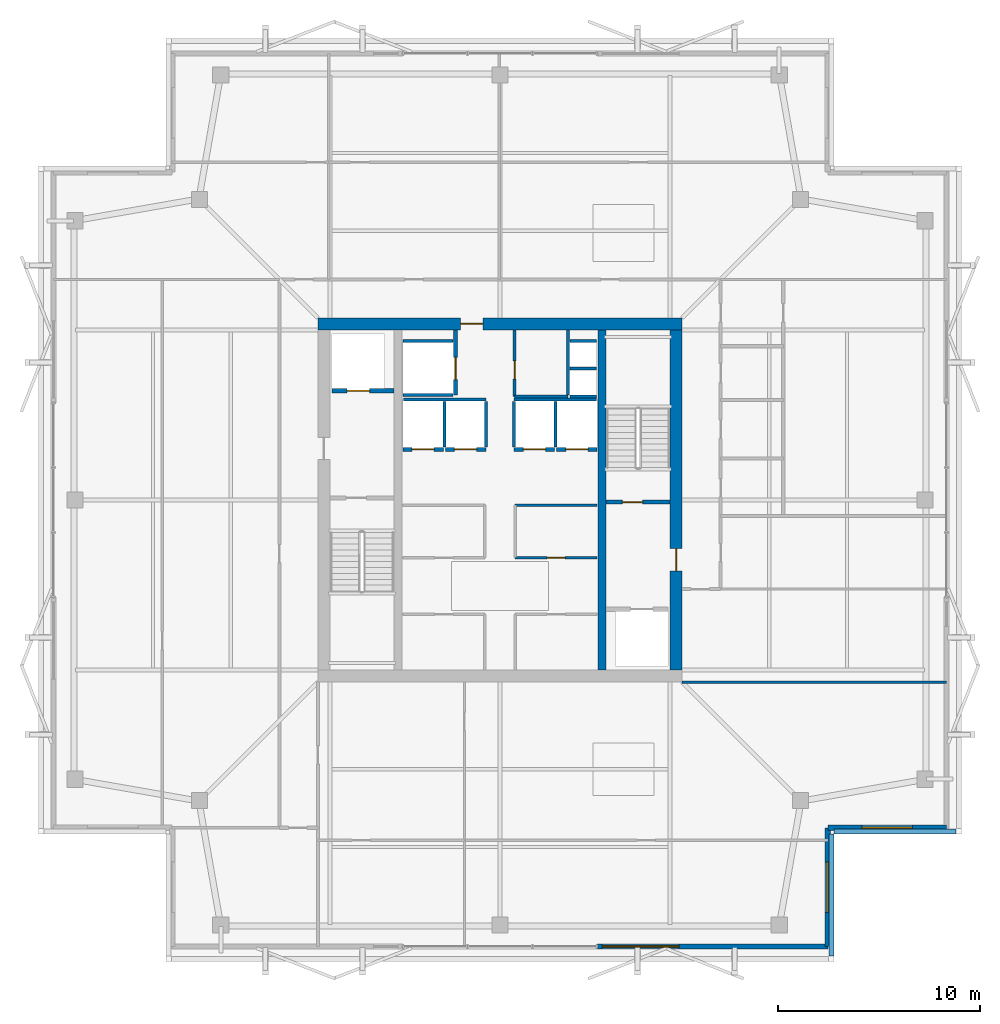
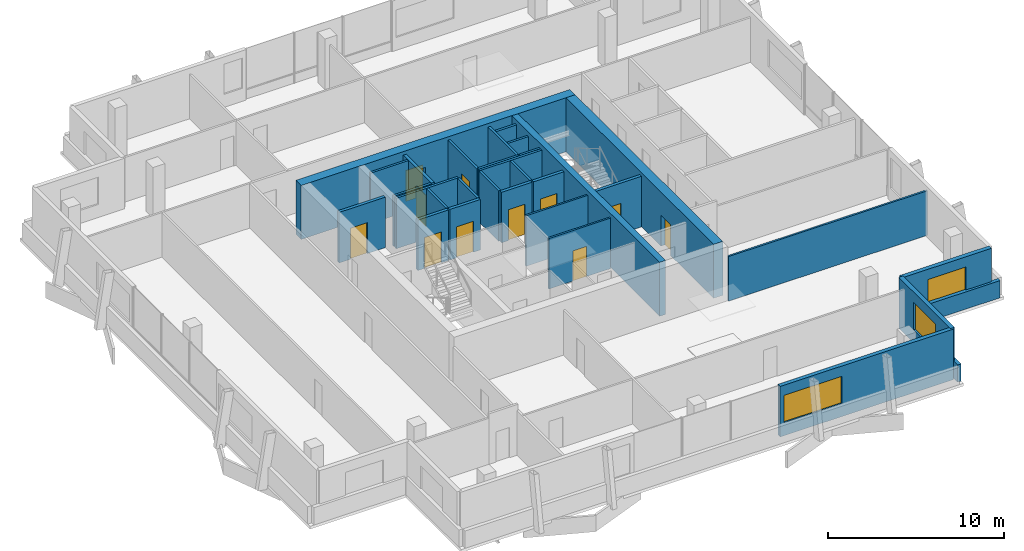
# One storey, part 14 of 17: 32 walls, 11 doors, 3 windows, 14 openings.
"""IFC4 building model written with IfcOpenShell, lengths in metres."""

from ifc_helpers import new_model, si_unit, direction, frame, frame_2d, origin, place, context, subcontext, project, spatial, rectangle, extrude, material, layer, layer_set, type_object, element, fill, save


model = new_model("IFC4")

# Units and contexts
model_context = context("Model", 3, precision=1e-05, world=origin(), true_north=direction((0.0, 1.0)))
body_context = subcontext(model_context, "Body", "Model", "MODEL_VIEW")
ifc_project = project(units=[si_unit("LENGTHUNIT", "METRE"), si_unit("AREAUNIT", "SQUARE_METRE"), si_unit("VOLUMEUNIT", "CUBIC_METRE"), si_unit("PLANEANGLEUNIT", "RADIAN"), si_unit("MASSUNIT", "GRAM", prefix="KILO")], contexts=[model_context])

# Site, building, storey
site_placement = place(None, origin())
site = spatial("IfcSite", under=ifc_project, at=site_placement, CompositionType="ELEMENT")
building_placement = place(site_placement, origin())
building = spatial("IfcBuilding", under=site, at=building_placement, Name="Belovzor Exchange Tower", CompositionType="ELEMENT")
storey_placement = place(building_placement, frame((0.0, 0.0, 333.0)))
storey = spatial("IfcBuildingStorey", under=building, at=storey_placement, Name="L83", CompositionType="ELEMENT", Elevation=333.0)

# Wall
ifc_material_1 = material(Name="Acoustic Plasterboard on Galvanised Studs", Category="gypsum")
ifc_layer_1 = layer(ifc_material_1, 0.1201171875)
ifc_layer_set_1 = layer_set([ifc_layer_1], Name="Acoustic Plasterboard on Galvanised Studs")
wall_type_1 = type_object("IfcWallType", Name="Acoustic Double-Stud Partition Wall 120", PredefinedType="PARTITIONING", material=ifc_layer_set_1)
wall_1_placement = place(storey_placement, frame((37.800048828125, 19.800048828125, 0.0), z_axis=(0.0, 0.0, 1.0), x_axis=(1.0, 0.0, 0.0)))
element("IfcWall", 1, at=wall_1_placement, inside=storey, type_object=wall_type_1, Name="W-P120 Partition Wall W-L83-ESS", PredefinedType="PARTITIONING", context=body_context, shape_type="SweptSolid", body=[
    extrude(rectangle(XDim=13.070068359375, YDim=0.1201171875, at=frame_2d((6.53515625, 0.0))), origin(), (0.0, 0.0, 1.0), 3.094970703125),
])

# Wall, opening, door
ifc_material_2 = material(Name="Fire-Rated Plasterboard on Galvanised Studs", Category="gypsum")
ifc_layer_2 = layer(ifc_material_2, 0.1201171875)
ifc_layer_set_2 = layer_set([ifc_layer_2], Name="Fire-Rated Plasterboard on Galvanised Studs")
wall_type_2 = type_object("IfcWallType", Name="Fire-Rated Double-Stud Partition Wall 120", PredefinedType="PARTITIONING", material=ifc_layer_set_2)
wall_2_placement = place(storey_placement, frame((29.550048828125, 25.949951171875, 0.0), z_axis=(0.0, 0.0, 1.0), x_axis=(1.0, 0.0, 0.0)))
wall_2 = element("IfcWall", 2, at=wall_2_placement, inside=storey, type_object=wall_type_2, Name="W-P120F Partition Wall W-CRM-L83-ES", PredefinedType="PARTITIONING", context=body_context, shape_type="SweptSolid", body=[
    extrude(rectangle(XDim=4.050048828125, YDim=0.1201171875, at=frame_2d((2.02490234375, 0.0))), origin(), (0.0, 0.0, 1.0), 3.510009765625),
])
opening_1_placement = place(wall_2_placement, frame((1.574951171875, 0.0, 0.0)))
opening_1 = element("IfcOpeningElement", 3, at=opening_1_placement, cuts=wall_2, Name="Opening D-FD60-090", PredefinedType="OPENING", context=body_context, shape_type="SweptSolid", body=[
    extrude(rectangle(XDim=0.89990234375, YDim=2.10009765625, at=frame_2d((0.449951171875, 1.050048828125))), frame((0.0, 0.070068359375, 0.0), z_axis=(0.0, -1.0, 0.0), x_axis=(1.0, 0.0, 0.0)), (0.0, 0.0, 1.0), 0.14013671875),
])
ifc_material_3 = material(Name="Acoustic Timber Fire Leaf", Category="wood")
door_type_1 = type_object("IfcDoorType", Name="Core Service & Restroom Fire Door 900x2100", OperationType="NOTDEFINED", PredefinedType="DOOR", material=ifc_material_3)
door_1_placement = place(opening_1_placement, origin())
door_1 = element("IfcDoor", 4, at=door_1_placement, inside=storey, type_object=door_type_1, Name="D-FD60-090 Core Service & Restroom Fire Door 900x2100", OperationType="SINGLE_SWING_RIGHT", OverallHeight=2.10009765625, OverallWidth=0.89990234375, PredefinedType="DOOR", context=body_context, shape_type="SweptSolid", body=[
    extrude(rectangle(XDim=0.89990234375, YDim=2.10009765625, at=frame_2d((0.449951171875, 1.050048828125))), frame((0.0, 0.02490234375, 0.0), z_axis=(0.0, -1.0, 0.0), x_axis=(1.0, 0.0, 0.0)), (0.0, 0.0, 1.0), 0.050048828125),
])
fill(opening_1, door_1)

# Wall
wall_3_placement = place(storey_placement, frame((29.550048828125, 28.550048828125, 0.0), z_axis=(0.0, 0.0, 1.0), x_axis=(1.0, 0.0, 0.0)))
element("IfcWall", 5, at=wall_3_placement, inside=storey, type_object=wall_type_2, Name="W-P120F Partition Wall W-CRM-L83-EN", PredefinedType="PARTITIONING", context=body_context, shape_type="SweptSolid", body=[
    extrude(rectangle(XDim=4.050048828125, YDim=0.1201171875, at=frame_2d((2.02490234375, 0.0))), origin(), (0.0, 0.0, 1.0), 3.510009765625),
])

# Wall, opening, door
ifc_material_4 = material(Name="Fire-Rated Gypsum Block and Mineral Wool", Category="gypsum")
ifc_layer_3 = layer(ifc_material_4, 0.14990234375)
ifc_layer_set_3 = layer_set([ifc_layer_3], Name="Fire-Rated Gypsum Block and Mineral Wool")
wall_type_3 = type_object("IfcWallType", Name="Fire-Rated Gypsum Block Corridor Wall 150", PredefinedType="PARTITIONING", material=ifc_layer_set_3)
wall_4_placement = place(storey_placement, frame((29.52490234375, 33.925048828125, 0.0), z_axis=(0.0, 0.0, 1.0), x_axis=(0.0, 1.0, 0.0)))
wall_4 = element("IfcWall", 6, at=wall_4_placement, inside=storey, type_object=wall_type_3, Name="W-P150 Partition Wall W-CRV-L83-W", PredefinedType="PARTITIONING", context=body_context, shape_type="SweptSolid", body=[
    extrude(rectangle(XDim=3.27490234375, YDim=0.14990234375, at=frame_2d((1.637451171875, 0.0))), origin(), (0.0, 0.0, 1.0), 3.510009765625),
])
opening_2_placement = place(wall_4_placement, frame((0.85009765625, 0.0, 0.0)))
opening_2 = element("IfcOpeningElement", 7, at=opening_2_placement, cuts=wall_4, Name="Opening D-FD60-090", PredefinedType="OPENING", context=body_context, shape_type="SweptSolid", body=[
    extrude(rectangle(XDim=0.89990234375, YDim=2.10009765625, at=frame_2d((0.449951171875, 1.050048828125))), frame((0.0, 0.0849609375, 0.0), z_axis=(0.0, -1.0, 0.0), x_axis=(1.0, 0.0, 0.0)), (0.0, 0.0, 1.0), 0.169921875),
])
door_2_placement = place(opening_2_placement, origin())
door_2 = element("IfcDoor", 8, at=door_2_placement, inside=storey, type_object=door_type_1, Name="D-FD60-090 Core Service & Restroom Fire Door 900x2100", OperationType="SINGLE_SWING_LEFT", OverallHeight=2.10009765625, OverallWidth=0.89990234375, PredefinedType="DOOR", context=body_context, shape_type="SweptSolid", body=[
    extrude(rectangle(XDim=0.89990234375, YDim=2.10009765625, at=frame_2d((0.449951171875, 1.050048828125))), frame((0.0, 0.02490234375, 0.0), z_axis=(0.0, -1.0, 0.0), x_axis=(1.0, 0.0, 0.0)), (0.0, 0.0, 1.0), 0.050048828125),
])
fill(opening_2, door_2)

# Wall
wall_5_placement = place(storey_placement, frame((29.52490234375, 33.925048828125, 0.0), z_axis=(0.0, 0.0, 1.0), x_axis=(1.0, 0.0, 0.0)))
element("IfcWall", 9, at=wall_5_placement, inside=storey, type_object=wall_type_3, Name="W-P150 Partition Wall W-CRV-L83-S", PredefinedType="PARTITIONING", context=body_context, shape_type="SweptSolid", body=[
    extrude(rectangle(XDim=2.625, YDim=0.14990234375, at=frame_2d((1.3125, 0.0))), origin(), (0.0, 0.0, 1.0), 3.510009765625),
])

# Wall, opening, window
ifc_material_5 = material(Name="Precast concrete C40/50", Category="concrete")
ifc_layer_4 = layer(ifc_material_5, 0.280029296875)
ifc_layer_set_4 = layer_set([ifc_layer_4], Name="Precast concrete C40/50")
wall_type_4 = type_object("IfcWallType", Name="Precast Concrete Notched Corner Frame Wall 280", PredefinedType="SOLIDWALL", material=ifc_layer_set_4)
wall_6_placement = place(storey_placement, frame((50.8701171875, 12.60009765625, 0.0), z_axis=(0.0, 0.0, 1.0), x_axis=(-1.0, 0.0, 0.0)))
wall_6 = element("IfcWall", 10, at=wall_6_placement, inside=storey, type_object=wall_type_4, Name="W-CRN280 Precast Concrete Notched Corner Frame Wall 280 L83", PredefinedType="SOLIDWALL", context=body_context, shape_type="SweptSolid", body=[
    extrude(rectangle(XDim=5.8701171875, YDim=0.280029296875, at=frame_2d((2.93505859375, 0.0))), origin(), (0.0, 0.0, 1.0), 3.510009765625),
])
opening_3_placement = place(wall_6_placement, frame((1.68505859375, 0.0, 0.89990234375)))
opening_3 = element("IfcOpeningElement", 11, at=opening_3_placement, cuts=wall_6, Name="Opening WN-CRN250", PredefinedType="OPENING", context=body_context, shape_type="SweptSolid", body=[
    extrude(rectangle(XDim=2.5, YDim=1.89990234375, at=frame_2d((1.25, 0.949951171875))), frame((0.0, 0.14990234375, 0.0), z_axis=(0.0, -1.0, 0.0), x_axis=(1.0, 0.0, 0.0)), (0.0, 0.0, 1.0), 0.300048828125),
])
ifc_material_6 = material(Name="Thermally Broken Aluminium and Triple Glazing", Category="aluminium")
window_type_1 = type_object("IfcWindowType", Name="Streamline Moderne Corner Wrap Ribbon Window 2500x1900", PartitioningType="SINGLE_PANEL", PredefinedType="WINDOW", material=ifc_material_6)
window_1_placement = place(opening_3_placement, origin())
window_1 = element("IfcWindow", 12, at=window_1_placement, inside=storey, type_object=window_type_1, Name="WN-CRN250 Streamline Moderne Corner Wrap Ribbon Window 2500x1900", OverallHeight=1.89990234375, OverallWidth=2.5, PartitioningType="SINGLE_PANEL", PredefinedType="WINDOW", context=body_context, shape_type="SweptSolid", body=[
    extrude(rectangle(XDim=2.5, YDim=1.89990234375, at=frame_2d((1.25, 0.949951171875))), frame((0.0, 0.030029296875, 0.0), z_axis=(0.0, -1.0, 0.0), x_axis=(1.0, 0.0, 0.0)), (0.0, 0.0, 1.0), 0.06005859375),
])
fill(opening_3, window_1)

wall_7_placement = place(storey_placement, frame((45.0, 12.60009765625, 0.0), z_axis=(0.0, 0.0, 1.0), x_axis=(0.0, -1.0, 0.0)))
wall_7 = element("IfcWall", 13, at=wall_7_placement, inside=storey, type_object=wall_type_4, Name="W-CRN280 Precast Concrete Notched Corner Frame Wall 280 L83", PredefinedType="SOLIDWALL", context=body_context, shape_type="SweptSolid", body=[
    extrude(rectangle(XDim=5.8701171875, YDim=0.280029296875, at=frame_2d((2.93505859375, 0.0))), origin(), (0.0, 0.0, 1.0), 3.510009765625),
])
opening_4_placement = place(wall_7_placement, frame((1.68505859375, 0.0, 0.89990234375)))
opening_4 = element("IfcOpeningElement", 14, at=opening_4_placement, cuts=wall_7, Name="Opening WN-CRN250", PredefinedType="OPENING", context=body_context, shape_type="SweptSolid", body=[
    extrude(rectangle(XDim=2.5, YDim=1.89990234375, at=frame_2d((1.25, 0.949951171875))), frame((0.0, 0.14990234375, 0.0), z_axis=(0.0, -1.0, 0.0), x_axis=(1.0, 0.0, 0.0)), (0.0, 0.0, 1.0), 0.300048828125),
])
window_2_placement = place(opening_4_placement, origin())
window_2 = element("IfcWindow", 15, at=window_2_placement, inside=storey, type_object=window_type_1, Name="WN-CRN250 Streamline Moderne Corner Wrap Ribbon Window 2500x1900", OverallHeight=1.89990234375, OverallWidth=2.5, PartitioningType="SINGLE_PANEL", PredefinedType="WINDOW", context=body_context, shape_type="SweptSolid", body=[
    extrude(rectangle(XDim=2.5, YDim=1.89990234375, at=frame_2d((1.25, 0.949951171875))), frame((0.0, 0.030029296875, 0.0), z_axis=(0.0, -1.0, 0.0), x_axis=(1.0, 0.0, 0.0)), (0.0, 0.0, 1.0), 0.06005859375),
])
fill(opening_4, window_2)

ifc_material_7 = material(Name="Precast concrete C40/50", Category="concrete")
ifc_layer_5 = layer(ifc_material_7, 0.260009765625)
ifc_layer_set_5 = layer_set([ifc_layer_5], Name="Precast concrete C40/50")
wall_type_5 = type_object("IfcWallType", Name="Precast Concrete Perimeter Loggia Frame Wall 260", PredefinedType="SOLIDWALL", material=ifc_layer_set_5)
wall_8_placement = place(storey_placement, frame((45.0, 6.72998046875, 0.0), z_axis=(0.0, 0.0, 1.0), x_axis=(-1.0, 0.0, 0.0)))
wall_8 = element("IfcWall", 16, at=wall_8_placement, inside=storey, type_object=wall_type_5, Name="W-EXT260 Precast Concrete Perimeter Loggia Frame Wall 260 L83", PredefinedType="SOLIDWALL", context=body_context, shape_type="SweptSolid", body=[
    extrude(rectangle(XDim=11.39990234375, YDim=0.260009765625, at=frame_2d((5.699951171875, 0.0))), origin(), (0.0, 0.0, 1.0), 3.510009765625),
])
opening_5_placement = place(wall_8_placement, frame((7.35009765625, 0.0, 0.89990234375)))
opening_5 = element("IfcOpeningElement", 17, at=opening_5_placement, cuts=wall_8, Name="Opening WN-RIB380", PredefinedType="OPENING", context=body_context, shape_type="SweptSolid", body=[
    extrude(rectangle(XDim=3.800048828125, YDim=1.89990234375, at=frame_2d((1.89990234375, 0.949951171875))), frame((0.0, 0.139892578125, 0.0), z_axis=(0.0, -1.0, 0.0), x_axis=(1.0, 0.0, 0.0)), (0.0, 0.0, 1.0), 0.280029296875),
])
ifc_material_8 = material(Name="Thermally Broken Aluminium and Triple Glazing", Category="aluminium")
window_type_2 = type_object("IfcWindowType", Name="Streamline Moderne Horizontal Ribbon Window 3800x1900", PartitioningType="SINGLE_PANEL", PredefinedType="WINDOW", material=ifc_material_8)
window_3_placement = place(opening_5_placement, origin())
window_3 = element("IfcWindow", 18, at=window_3_placement, inside=storey, type_object=window_type_2, Name="WN-RIB380 Streamline Moderne Horizontal Ribbon Window 3800x1900", OverallHeight=1.89990234375, OverallWidth=3.800048828125, PartitioningType="SINGLE_PANEL", PredefinedType="WINDOW", context=body_context, shape_type="SweptSolid", body=[
    extrude(rectangle(XDim=3.800048828125, YDim=1.89990234375, at=frame_2d((1.89990234375, 0.949951171875))), frame((0.0, 0.030029296875, 0.0), z_axis=(0.0, -1.0, 0.0), x_axis=(1.0, 0.0, 0.0)), (0.0, 0.0, 1.0), 0.06005859375),
])
fill(opening_5, window_3)

# Walls
ifc_material_9 = material(Name="Precast concrete C40/50", Category="concrete")
ifc_layer_6 = layer(ifc_material_9, 0.239990234375)
ifc_layer_set_6 = layer_set([ifc_layer_6], Name="Precast concrete C40/50")
wall_type_6 = type_object("IfcWallType", Name="Precast Stone Setback Roof Parapet Wall 240", PredefinedType="PARAPET", material=ifc_layer_set_6)
for number, where, z_axis, x_axis, name in (
    (19, (45.179931640625, 6.2548828125, 0.0), (0.0, 0.0, 1.0), (0.0, 1.0, 0.0), "W-PAR240 Precast Stone Setback Roof Parapet Wall 240 L83"),
    (20, (45.31494140625, 12.419921875, 0.0), (0.0, 0.0, 1.0), (1.0, 0.0, 0.0), "W-PAR240 Precast Stone Setback Roof Parapet Wall 240 L83"),
):
    element("IfcWall", number, at=place(storey_placement, frame(where, z_axis=z_axis, x_axis=x_axis)), inside=storey, type_object=wall_type_6, Name=name, PredefinedType="PARAPET", context=body_context, shape_type="SweptSolid", body=[
        extrude(rectangle(XDim=6.030029296875, YDim=0.239990234375, at=frame_2d((3.01513671875, 0.0))), origin(), (0.0, 0.0, 1.0), 1.199951171875),
    ])
ifc_material_10 = material(Name="Concrete C50/60", Category="concrete")
ifc_layer_7 = layer(ifc_material_10, 0.39990234375)
ifc_layer_set_7 = layer_set([ifc_layer_7], Name="Concrete C50/60")
wall_type_7 = type_object("IfcWallType", Name="Reinforced Concrete Core Internal Web Wall 400", PredefinedType="SHEAR", material=ifc_layer_set_7)
wall_9_placement = place(storey_placement, frame((33.85009765625, 20.39990234375, 0.0), z_axis=(0.0, 0.0, 1.0), x_axis=(0.0, 1.0, 0.0)))
element("IfcWall", 21, at=wall_9_placement, inside=storey, type_object=wall_type_7, Name="CW-W040 Core Internal Web Wall L83 ER", PredefinedType="SHEAR", context=body_context, shape_type="SweptSolid", body=[
    extrude(rectangle(XDim=16.800048828125, YDim=0.39990234375, at=frame_2d((8.39990234375, 0.0))), origin(), (0.0, 0.0, 1.0), 3.75),
])
ifc_material_11 = material(Name="Concrete C50/60", Category="concrete")
ifc_layer_8 = layer(ifc_material_11, 0.14990234375)
ifc_layer_set_8 = layer_set([ifc_layer_8], Name="Concrete C50/60")
wall_type_8 = type_object("IfcWallType", Name="Reinforced Concrete Core Riser Shear Wall 150", PredefinedType="SHEAR", material=ifc_layer_set_8)
wall_10_placement = place(storey_placement, frame((32.14990234375, 34.0, 0.0), z_axis=(0.0, 0.0, 1.0), x_axis=(0.0, 1.0, 0.0)))
element("IfcWall", 22, at=wall_10_placement, inside=storey, type_object=wall_type_8, Name="W-C150S Core Shaft Wall W-RSR-L83-E", PredefinedType="SHEAR", context=body_context, shape_type="SweptSolid", body=[
    extrude(rectangle(XDim=3.199951171875, YDim=0.14990234375, at=frame_2d((1.60009765625, 0.0))), origin(), (0.0, 0.0, 1.0), 3.510009765625),
])
for number, where, z_axis, x_axis, name in (
    (23, (32.25, 33.925048828125, 0.0), (0.0, 0.0, 1.0), (1.0, 0.0, 0.0), "W-C150S Core Shaft Wall W-RSR-L83-S"),
    (24, (32.25, 35.300048828125, 0.0), (0.0, 0.0, 1.0), (1.0, 0.0, 0.0), "W-C150S Core Shaft Wall W-RSR-L83-M"),
):
    element("IfcWall", number, at=place(storey_placement, frame(where, z_axis=z_axis, x_axis=x_axis)), inside=storey, type_object=wall_type_8, Name=name, PredefinedType="SHEAR", context=body_context, shape_type="SweptSolid", body=[
        extrude(rectangle(XDim=1.330078125, YDim=0.14990234375, at=frame_2d((0.6650390625, 0.0))), origin(), (0.0, 0.0, 1.0), 3.510009765625),
    ])
for number, where, z_axis, x_axis, name in (
    (25, (24.0, 34.0, 0.0), (0.0, 0.0, 1.0), (1.0, 0.0, 0.0), "W-C150S Core Shaft Wall W-SH-L83-SL-01S"),
    (26, (24.0, 36.64990234375, 0.0), (0.0, 0.0, 1.0), (1.0, 0.0, 0.0), "W-C150S Core Shaft Wall W-SH-L83-SL-01N"),
):
    element("IfcWall", number, at=place(storey_placement, frame(where, z_axis=z_axis, x_axis=x_axis)), inside=storey, type_object=wall_type_8, Name=name, PredefinedType="SHEAR", context=body_context, shape_type="SweptSolid", body=[
        extrude(rectangle(XDim=2.47998046875, YDim=0.14990234375, at=frame_2d((1.239990234375, 0.0))), origin(), (0.0, 0.0, 1.0), 3.510009765625),
    ])
wall_11_placement = place(storey_placement, frame((32.25, 36.64990234375, 0.0), z_axis=(0.0, 0.0, 1.0), x_axis=(1.0, 0.0, 0.0)))
element("IfcWall", 27, at=wall_11_placement, inside=storey, type_object=wall_type_8, Name="W-C150S Core Shaft Wall W-RSR-L83-N", PredefinedType="SHEAR", context=body_context, shape_type="SweptSolid", body=[
    extrude(rectangle(XDim=1.330078125, YDim=0.14990234375, at=frame_2d((0.6650390625, 0.0))), origin(), (0.0, 0.0, 1.0), 3.510009765625),
])
for number, where, z_axis, x_axis, name in (
    (28, (24.02001953125, 33.760009765625, 0.0), (0.0, 0.0, 1.0), (1.0, 0.0, 0.0), "W-C150S Core Shaft Wall W-SHB-L83-PLH-NW"),
    (29, (29.5, 33.760009765625, 0.0), (0.0, 0.0, 1.0), (1.0, 0.0, 0.0), "W-C150S Core Shaft Wall W-SHB-L83-PLH-NE"),
):
    element("IfcWall", number, at=place(storey_placement, frame(where, z_axis=z_axis, x_axis=x_axis)), inside=storey, type_object=wall_type_8, Name=name, PredefinedType="SHEAR", context=body_context, shape_type="SweptSolid", body=[
        extrude(rectangle(XDim=4.080078125, YDim=0.14990234375, at=frame_2d((2.0400390625, 0.0))), origin(), (0.0, 0.0, 1.0), 3.510009765625),
    ])
for number, where, z_axis, x_axis, name in (
    (30, (26.050048828125, 31.419921875, 0.0), (0.0, 0.0, 1.0), (0.0, 1.0, 0.0), "W-C150S Core Shaft Wall W-SHD-L83-PLH-1"),
    (31, (28.10009765625, 31.419921875, 0.0), (0.0, 0.0, 1.0), (0.0, 1.0, 0.0), "W-C150S Core Shaft Wall W-SHD-L83-PLH-2"),
    (32, (29.5, 31.419921875, 0.0), (0.0, 0.0, 1.0), (0.0, 1.0, 0.0), "W-C150S Core Shaft Wall W-SHD-L83-PLH-3"),
    (33, (31.550048828125, 31.419921875, 0.0), (0.0, 0.0, 1.0), (0.0, 1.0, 0.0), "W-C150S Core Shaft Wall W-SHD-L83-PLH-4"),
):
    element("IfcWall", number, at=place(storey_placement, frame(where, z_axis=z_axis, x_axis=x_axis)), inside=storey, type_object=wall_type_8, Name=name, PredefinedType="SHEAR", context=body_context, shape_type="SweptSolid", body=[
        extrude(rectangle(XDim=2.239990234375, YDim=0.14990234375, at=frame_2d((1.1201171875, 0.0))), origin(), (0.0, 0.0, 1.0), 3.510009765625),
    ])

# Wall, opening, door
ifc_material_12 = material(Name="Concrete C50/60", Category="concrete")
ifc_layer_9 = layer(ifc_material_12, 0.199951171875)
ifc_layer_set_9 = layer_set([ifc_layer_9], Name="Concrete C50/60")
wall_type_9 = type_object("IfcWallType", Name="Reinforced Concrete Core Shaft Shear Wall 200", PredefinedType="SHEAR", material=ifc_layer_set_9)
wall_12_placement = place(storey_placement, frame((34.050048828125, 28.699951171875, 0.0), z_axis=(0.0, 0.0, 1.0), x_axis=(1.0, 0.0, 0.0)))
wall_12 = element("IfcWall", 34, at=wall_12_placement, inside=storey, type_object=wall_type_9, Name="W-C200S Core Shaft Wall W-CORE-L83-FFLE2", PredefinedType="SHEAR", context=body_context, shape_type="SweptSolid", body=[
    extrude(rectangle(XDim=3.14990234375, YDim=0.199951171875, at=frame_2d((1.574951171875, 0.0))), origin(), (0.0, 0.0, 1.0), 3.510009765625),
])
opening_6_placement = place(wall_12_placement, frame((0.800048828125, 0.0, 0.0)))
opening_6 = element("IfcOpeningElement", 35, at=opening_6_placement, cuts=wall_12, Name="Opening D-FD90-100", PredefinedType="OPENING", context=body_context, shape_type="SweptSolid", body=[
    extrude(rectangle(XDim=1.0, YDim=2.10009765625, at=frame_2d((0.5, 1.050048828125))), frame((0.0, 0.10986328125, 0.0), z_axis=(0.0, -1.0, 0.0), x_axis=(1.0, 0.0, 0.0)), (0.0, 0.0, 1.0), 0.219970703125),
])
ifc_material_13 = material(Name="Fire-Rated Galvanised Steel Leaf", Category="steel")
door_type_2 = type_object("IfcDoorType", Name="Protected Stairwell Single Fire Door 1000x2100", OperationType="NOTDEFINED", PredefinedType="DOOR", material=ifc_material_13)
door_3_placement = place(opening_6_placement, origin())
door_3 = element("IfcDoor", 36, at=door_3_placement, inside=storey, type_object=door_type_2, Name="D-FD90-100 Protected Stairwell Single Fire Door 1000x2100", OperationType="SINGLE_SWING_LEFT", OverallHeight=2.10009765625, OverallWidth=1.0, PredefinedType="DOOR", context=body_context, shape_type="SweptSolid", body=[
    extrude(rectangle(XDim=1.0, YDim=2.10009765625, at=frame_2d((0.5, 1.050048828125))), frame((0.0, 0.02490234375, 0.0), z_axis=(0.0, -1.0, 0.0), x_axis=(1.0, 0.0, 0.0)), (0.0, 0.0, 1.0), 0.050048828125),
])
fill(opening_6, door_3)

wall_13_placement = place(storey_placement, frame((20.5, 34.199951171875, 0.0), z_axis=(0.0, 0.0, 1.0), x_axis=(1.0, 0.0, 0.0)))
wall_13 = element("IfcWall", 37, at=wall_13_placement, inside=storey, type_object=wall_type_9, Name="W-C200S Core Shaft Wall W-SH-L83-FFL-01", PredefinedType="SHEAR", context=body_context, shape_type="SweptSolid", body=[
    extrude(rectangle(XDim=3.050048828125, YDim=0.199951171875, at=frame_2d((1.52490234375, 0.0))), origin(), (0.0, 0.0, 1.0), 3.510009765625),
])
opening_7_placement = place(wall_13_placement, frame((0.75, 0.0, 0.0)))
opening_7 = element("IfcOpeningElement", 38, at=opening_7_placement, cuts=wall_13, Name="Opening LD-110", PredefinedType="OPENING", context=body_context, shape_type="SweptSolid", body=[
    extrude(rectangle(XDim=1.10009765625, YDim=2.14990234375, at=frame_2d((0.550048828125, 1.074951171875))), frame((0.0, 0.10986328125, 0.0), z_axis=(0.0, -1.0, 0.0), x_axis=(1.0, 0.0, 0.0)), (0.0, 0.0, 1.0), 0.219970703125),
])
ifc_material_14 = material(Name="Stainless Steel Grade 304", Category="steel")
door_type_3 = type_object("IfcDoorType", Name="Automated Stainless Steel Lift Landing Door 1100x2150", OperationType="SLIDING_TO_RIGHT", PredefinedType="DOOR", material=ifc_material_14)
door_4_placement = place(opening_7_placement, origin())
door_4 = element("IfcDoor", 39, at=door_4_placement, inside=storey, type_object=door_type_3, Name="LD-110 Automated Stainless Steel Lift Landing Door 1100x2150", OperationType="SLIDING_TO_RIGHT", OverallHeight=2.14990234375, OverallWidth=1.10009765625, PredefinedType="DOOR", context=body_context, shape_type="SweptSolid", body=[
    extrude(rectangle(XDim=1.10009765625, YDim=2.14990234375, at=frame_2d((0.550048828125, 1.074951171875))), frame((0.0, 0.02490234375, 0.0), z_axis=(0.0, -1.0, 0.0), x_axis=(1.0, 0.0, 0.0)), (0.0, 0.0, 1.0), 0.050048828125),
])
fill(opening_7, door_4)

wall_14_placement = place(storey_placement, frame((26.60009765625, 34.0, 0.0), z_axis=(0.0, 0.0, 1.0), x_axis=(0.0, 1.0, 0.0)))
wall_14 = element("IfcWall", 40, at=wall_14_placement, inside=storey, type_object=wall_type_9, Name="W-C200S Core Shaft Wall W-SH-L83-SL-01", PredefinedType="SHEAR", context=body_context, shape_type="SweptSolid", body=[
    extrude(rectangle(XDim=3.199951171875, YDim=0.199951171875, at=frame_2d((1.60009765625, 0.0))), origin(), (0.0, 0.0, 1.0), 3.510009765625),
])
opening_8_placement = place(wall_14_placement, frame((0.75, 0.0, 0.0)))
opening_8 = element("IfcOpeningElement", 41, at=opening_8_placement, cuts=wall_14, Name="Opening LD-110", PredefinedType="OPENING", context=body_context, shape_type="SweptSolid", body=[
    extrude(rectangle(XDim=1.10009765625, YDim=2.14990234375, at=frame_2d((0.550048828125, 1.074951171875))), frame((0.0, 0.10986328125, 0.0), z_axis=(0.0, -1.0, 0.0), x_axis=(1.0, 0.0, 0.0)), (0.0, 0.0, 1.0), 0.219970703125),
])
door_5_placement = place(opening_8_placement, origin())
door_5 = element("IfcDoor", 42, at=door_5_placement, inside=storey, type_object=door_type_3, Name="LD-110 Automated Stainless Steel Lift Landing Door 1100x2150", OperationType="SLIDING_TO_RIGHT", OverallHeight=2.14990234375, OverallWidth=1.10009765625, PredefinedType="DOOR", context=body_context, shape_type="SweptSolid", body=[
    extrude(rectangle(XDim=1.10009765625, YDim=2.14990234375, at=frame_2d((0.550048828125, 1.074951171875))), frame((0.0, 0.02490234375, 0.0), z_axis=(0.0, -1.0, 0.0), x_axis=(1.0, 0.0, 0.0)), (0.0, 0.0, 1.0), 0.050048828125),
])
fill(opening_8, door_5)

wall_15_placement = place(storey_placement, frame((24.0, 31.300048828125, 0.0), z_axis=(0.0, 0.0, 1.0), x_axis=(1.0, 0.0, 0.0)))
wall_15 = element("IfcWall", 43, at=wall_15_placement, inside=storey, type_object=wall_type_9, Name="W-C200S Core Shaft Wall W-SH-L83-PL-H1", PredefinedType="SHEAR", context=body_context, shape_type="SweptSolid", body=[
    extrude(rectangle(XDim=2.0, YDim=0.199951171875, at=frame_2d((1.0, 0.0))), origin(), (0.0, 0.0, 1.0), 3.510009765625),
])
opening_9_placement = place(wall_15_placement, frame((0.449951171875, 0.0, 0.0)))
opening_9 = element("IfcOpeningElement", 44, at=opening_9_placement, cuts=wall_15, Name="Opening LD-110", PredefinedType="OPENING", context=body_context, shape_type="SweptSolid", body=[
    extrude(rectangle(XDim=1.10009765625, YDim=2.14990234375, at=frame_2d((0.550048828125, 1.074951171875))), frame((0.0, 0.10986328125, 0.0), z_axis=(0.0, -1.0, 0.0), x_axis=(1.0, 0.0, 0.0)), (0.0, 0.0, 1.0), 0.219970703125),
])
door_6_placement = place(opening_9_placement, origin())
door_6 = element("IfcDoor", 45, at=door_6_placement, inside=storey, type_object=door_type_3, Name="LD-110 Automated Stainless Steel Lift Landing Door 1100x2150", OperationType="SLIDING_TO_RIGHT", OverallHeight=2.14990234375, OverallWidth=1.10009765625, PredefinedType="DOOR", context=body_context, shape_type="SweptSolid", body=[
    extrude(rectangle(XDim=1.10009765625, YDim=2.14990234375, at=frame_2d((0.550048828125, 1.074951171875))), frame((0.0, 0.02490234375, 0.0), z_axis=(0.0, -1.0, 0.0), x_axis=(1.0, 0.0, 0.0)), (0.0, 0.0, 1.0), 0.050048828125),
])
fill(opening_9, door_6)

wall_16_placement = place(storey_placement, frame((26.10009765625, 31.300048828125, 0.0), z_axis=(0.0, 0.0, 1.0), x_axis=(1.0, 0.0, 0.0)))
wall_16 = element("IfcWall", 46, at=wall_16_placement, inside=storey, type_object=wall_type_9, Name="W-C200S Core Shaft Wall W-SH-L83-PL-H2", PredefinedType="SHEAR", context=body_context, shape_type="SweptSolid", body=[
    extrude(rectangle(XDim=2.0, YDim=0.199951171875, at=frame_2d((1.0, 0.0))), origin(), (0.0, 0.0, 1.0), 3.510009765625),
])
opening_10_placement = place(wall_16_placement, frame((0.449951171875, 0.0, 0.0)))
opening_10 = element("IfcOpeningElement", 47, at=opening_10_placement, cuts=wall_16, Name="Opening LD-110", PredefinedType="OPENING", context=body_context, shape_type="SweptSolid", body=[
    extrude(rectangle(XDim=1.10009765625, YDim=2.14990234375, at=frame_2d((0.550048828125, 1.074951171875))), frame((0.0, 0.10986328125, 0.0), z_axis=(0.0, -1.0, 0.0), x_axis=(1.0, 0.0, 0.0)), (0.0, 0.0, 1.0), 0.219970703125),
])
door_7_placement = place(opening_10_placement, origin())
door_7 = element("IfcDoor", 48, at=door_7_placement, inside=storey, type_object=door_type_3, Name="LD-110 Automated Stainless Steel Lift Landing Door 1100x2150", OperationType="SLIDING_TO_RIGHT", OverallHeight=2.14990234375, OverallWidth=1.10009765625, PredefinedType="DOOR", context=body_context, shape_type="SweptSolid", body=[
    extrude(rectangle(XDim=1.10009765625, YDim=2.14990234375, at=frame_2d((0.550048828125, 1.074951171875))), frame((0.0, 0.02490234375, 0.0), z_axis=(0.0, -1.0, 0.0), x_axis=(1.0, 0.0, 0.0)), (0.0, 0.0, 1.0), 0.050048828125),
])
fill(opening_10, door_7)

wall_17_placement = place(storey_placement, frame((29.5, 31.300048828125, 0.0), z_axis=(0.0, 0.0, 1.0), x_axis=(1.0, 0.0, 0.0)))
wall_17 = element("IfcWall", 49, at=wall_17_placement, inside=storey, type_object=wall_type_9, Name="W-C200S Core Shaft Wall W-SH-L83-PL-H3", PredefinedType="SHEAR", context=body_context, shape_type="SweptSolid", body=[
    extrude(rectangle(XDim=2.0, YDim=0.199951171875, at=frame_2d((1.0, 0.0))), origin(), (0.0, 0.0, 1.0), 3.510009765625),
])
opening_11_placement = place(wall_17_placement, frame((0.449951171875, 0.0, 0.0)))
opening_11 = element("IfcOpeningElement", 50, at=opening_11_placement, cuts=wall_17, Name="Opening LD-110", PredefinedType="OPENING", context=body_context, shape_type="SweptSolid", body=[
    extrude(rectangle(XDim=1.10009765625, YDim=2.14990234375, at=frame_2d((0.550048828125, 1.074951171875))), frame((0.0, 0.10986328125, 0.0), z_axis=(0.0, -1.0, 0.0), x_axis=(1.0, 0.0, 0.0)), (0.0, 0.0, 1.0), 0.219970703125),
])
door_8_placement = place(opening_11_placement, origin())
door_8 = element("IfcDoor", 51, at=door_8_placement, inside=storey, type_object=door_type_3, Name="LD-110 Automated Stainless Steel Lift Landing Door 1100x2150", OperationType="SLIDING_TO_RIGHT", OverallHeight=2.14990234375, OverallWidth=1.10009765625, PredefinedType="DOOR", context=body_context, shape_type="SweptSolid", body=[
    extrude(rectangle(XDim=1.10009765625, YDim=2.14990234375, at=frame_2d((0.550048828125, 1.074951171875))), frame((0.0, 0.02490234375, 0.0), z_axis=(0.0, -1.0, 0.0), x_axis=(1.0, 0.0, 0.0)), (0.0, 0.0, 1.0), 0.050048828125),
])
fill(opening_11, door_8)

wall_18_placement = place(storey_placement, frame((31.60009765625, 31.300048828125, 0.0), z_axis=(0.0, 0.0, 1.0), x_axis=(1.0, 0.0, 0.0)))
wall_18 = element("IfcWall", 52, at=wall_18_placement, inside=storey, type_object=wall_type_9, Name="W-C200S Core Shaft Wall W-SH-L83-PL-H4", PredefinedType="SHEAR", context=body_context, shape_type="SweptSolid", body=[
    extrude(rectangle(XDim=2.0, YDim=0.199951171875, at=frame_2d((1.0, 0.0))), origin(), (0.0, 0.0, 1.0), 3.510009765625),
])
opening_12_placement = place(wall_18_placement, frame((0.449951171875, 0.0, 0.0)))
opening_12 = element("IfcOpeningElement", 53, at=opening_12_placement, cuts=wall_18, Name="Opening LD-110", PredefinedType="OPENING", context=body_context, shape_type="SweptSolid", body=[
    extrude(rectangle(XDim=1.10009765625, YDim=2.14990234375, at=frame_2d((0.550048828125, 1.074951171875))), frame((0.0, 0.10986328125, 0.0), z_axis=(0.0, -1.0, 0.0), x_axis=(1.0, 0.0, 0.0)), (0.0, 0.0, 1.0), 0.219970703125),
])
door_9_placement = place(opening_12_placement, origin())
door_9 = element("IfcDoor", 54, at=door_9_placement, inside=storey, type_object=door_type_3, Name="LD-110 Automated Stainless Steel Lift Landing Door 1100x2150", OperationType="SLIDING_TO_RIGHT", OverallHeight=2.14990234375, OverallWidth=1.10009765625, PredefinedType="DOOR", context=body_context, shape_type="SweptSolid", body=[
    extrude(rectangle(XDim=1.10009765625, YDim=2.14990234375, at=frame_2d((0.550048828125, 1.074951171875))), frame((0.0, 0.02490234375, 0.0), z_axis=(0.0, -1.0, 0.0), x_axis=(1.0, 0.0, 0.0)), (0.0, 0.0, 1.0), 0.050048828125),
])
fill(opening_12, door_9)

ifc_material_15 = material(Name="Concrete C50/60", Category="concrete")
ifc_layer_10 = layer(ifc_material_15, 0.60009765625)
ifc_layer_set_10 = layer_set([ifc_layer_10], Name="Concrete C50/60")
wall_type_10 = type_object("IfcWallType", Name="Reinforced Concrete Core Shear Wall 600", PredefinedType="SHEAR", material=ifc_layer_set_10)
wall_19_placement = place(storey_placement, frame((19.800048828125, 37.5, 0.0), z_axis=(0.0, 0.0, 1.0), x_axis=(1.0, 0.0, 0.0)))
wall_19 = element("IfcWall", 55, at=wall_19_placement, inside=storey, type_object=wall_type_10, Name="CW-S060 Core Shear Wall L83 N", PredefinedType="SHEAR", context=body_context, shape_type="SweptSolid", body=[
    extrude(rectangle(XDim=18.0, YDim=0.60009765625, at=frame_2d((9.0, 0.0))), origin(), (0.0, 0.0, 1.0), 3.75),
])
opening_13_placement = place(wall_19_placement, frame((7.050048828125, 0.0, 0.0)))
opening_13 = element("IfcOpeningElement", 56, at=opening_13_placement, cuts=wall_19, Name="Opening D-FD90-110", PredefinedType="OPENING", context=body_context, shape_type="SweptSolid", body=[
    extrude(rectangle(XDim=1.10009765625, YDim=2.14990234375, at=frame_2d((0.550048828125, 1.074951171875))), frame((0.0, 0.31005859375, 0.0), z_axis=(0.0, -1.0, 0.0), x_axis=(1.0, 0.0, 0.0)), (0.0, 0.0, 1.0), 0.6201171875),
])
ifc_material_16 = material(Name="Fire-Rated Galvanised Steel Leaf", Category="steel")
door_type_4 = type_object("IfcDoorType", Name="Protected Escape Vestibule Fire Door 1100x2150", OperationType="NOTDEFINED", PredefinedType="DOOR", material=ifc_material_16)
door_10_placement = place(opening_13_placement, origin())
door_10 = element("IfcDoor", 57, at=door_10_placement, inside=storey, type_object=door_type_4, Name="D-FD90-110 Protected Escape Vestibule Fire Door 1100x2150", OperationType="SINGLE_SWING_LEFT", OverallHeight=2.14990234375, OverallWidth=1.10009765625, PredefinedType="DOOR", context=body_context, shape_type="SweptSolid", body=[
    extrude(rectangle(XDim=1.10009765625, YDim=2.14990234375, at=frame_2d((0.550048828125, 1.074951171875))), frame((0.0, 0.02490234375, 0.0), z_axis=(0.0, -1.0, 0.0), x_axis=(1.0, 0.0, 0.0)), (0.0, 0.0, 1.0), 0.050048828125),
])
fill(opening_13, door_10)

wall_20_placement = place(storey_placement, frame((37.5, 20.39990234375, 0.0), z_axis=(0.0, 0.0, 1.0), x_axis=(0.0, 1.0, 0.0)))
wall_20 = element("IfcWall", 58, at=wall_20_placement, inside=storey, type_object=wall_type_10, Name="CW-S060 Core Shear Wall L83 E", PredefinedType="SHEAR", context=body_context, shape_type="SweptSolid", body=[
    extrude(rectangle(XDim=16.800048828125, YDim=0.60009765625, at=frame_2d((8.39990234375, 0.0))), origin(), (0.0, 0.0, 1.0), 3.75),
])
opening_14_placement = place(wall_20_placement, frame((4.89990234375, 0.0, 0.0)))
opening_14 = element("IfcOpeningElement", 59, at=opening_14_placement, cuts=wall_20, Name="Opening D-FD90-110", PredefinedType="OPENING", context=body_context, shape_type="SweptSolid", body=[
    extrude(rectangle(XDim=1.10009765625, YDim=2.14990234375, at=frame_2d((0.550048828125, 1.074951171875))), frame((0.0, 0.31005859375, 0.0), z_axis=(0.0, -1.0, 0.0), x_axis=(1.0, 0.0, 0.0)), (0.0, 0.0, 1.0), 0.6201171875),
])
door_11_placement = place(opening_14_placement, origin())
door_11 = element("IfcDoor", 60, at=door_11_placement, inside=storey, type_object=door_type_4, Name="D-FD90-110 Protected Escape Vestibule Fire Door 1100x2150", OperationType="SINGLE_SWING_RIGHT", OverallHeight=2.14990234375, OverallWidth=1.10009765625, PredefinedType="DOOR", context=body_context, shape_type="SweptSolid", body=[
    extrude(rectangle(XDim=1.10009765625, YDim=2.14990234375, at=frame_2d((0.550048828125, 1.074951171875))), frame((0.0, 0.02490234375, 0.0), z_axis=(0.0, -1.0, 0.0), x_axis=(1.0, 0.0, 0.0)), (0.0, 0.0, 1.0), 0.050048828125),
])
fill(opening_14, door_11)

save(model, "model.ifc")
